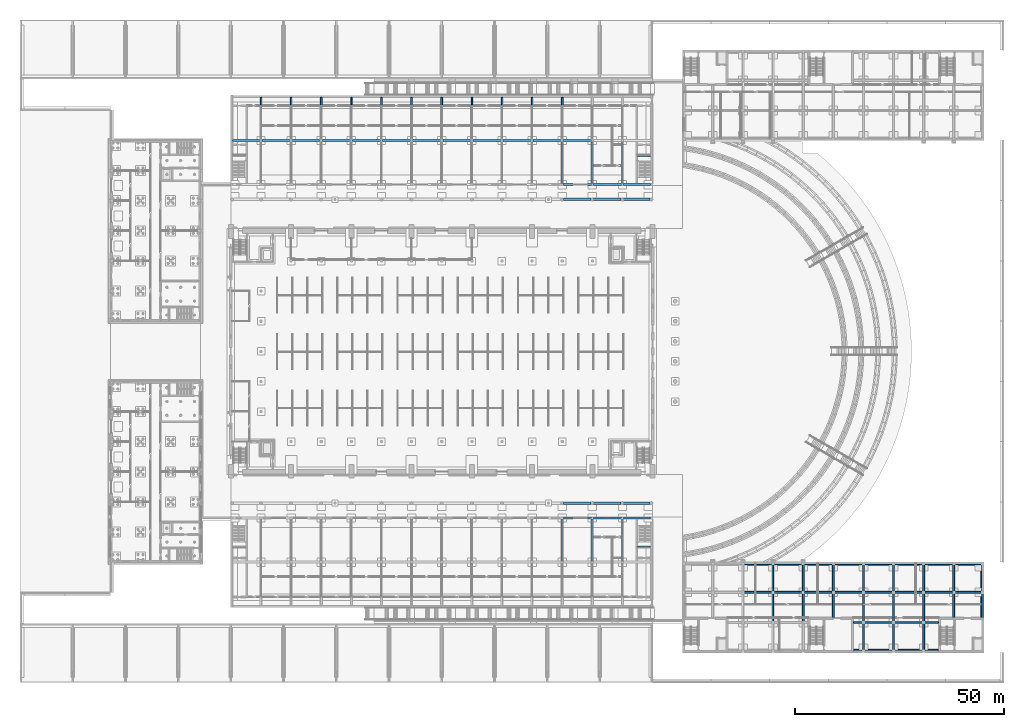
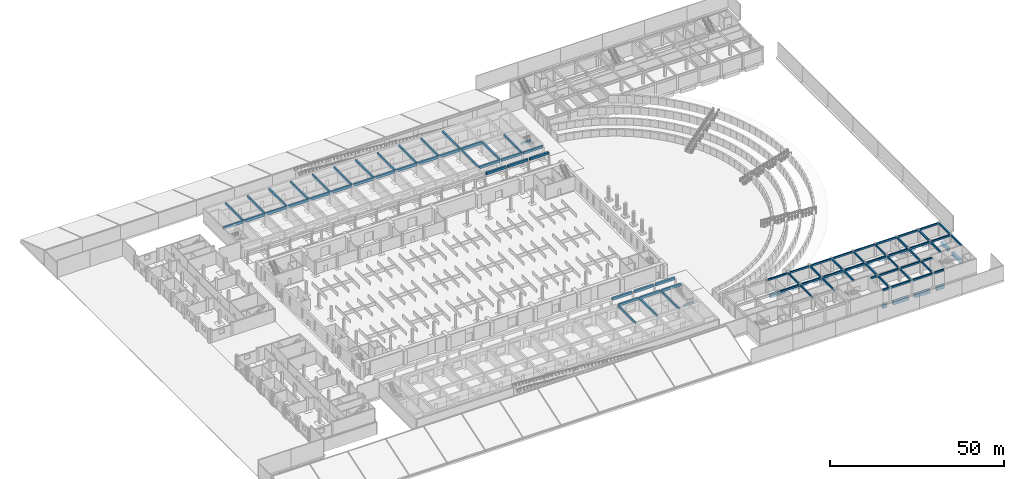
# One storey, part 21 of 73: 100 beams.
"""IFC4 building model written with IfcOpenShell, lengths in metres."""

from ifc_helpers import new_model, si_unit, direction, frame, origin, origin_2d, place, context, subcontext, project, spatial, rectangle, extrude, material, material_profile, profile_set, type_object, element, save


model = new_model("IFC4")

# Units and contexts
model_context = context("Model", 3, precision=1e-05, world=origin(), true_north=direction((0.0, 1.0)))
body_context = subcontext(model_context, "Body", "Model", "MODEL_VIEW")
ifc_project = project(units=[si_unit("LENGTHUNIT", "METRE"), si_unit("AREAUNIT", "SQUARE_METRE"), si_unit("VOLUMEUNIT", "CUBIC_METRE"), si_unit("PLANEANGLEUNIT", "RADIAN"), si_unit("MASSUNIT", "GRAM", prefix="KILO")], contexts=[model_context])

# Site, building, storey
site_placement = place(None, origin())
site = spatial("IfcSite", under=ifc_project, at=site_placement, CompositionType="ELEMENT")
building_placement = place(site_placement, origin())
building = spatial("IfcBuilding", under=site, at=building_placement, Name="Alderwick Market Hall", CompositionType="ELEMENT")
storey_placement = place(building_placement, origin())
storey = spatial("IfcBuildingStorey", under=building, at=storey_placement, Name="LG", CompositionType="ELEMENT", Elevation=0.0)

# Beams
ifc_material = material(Name="Concrete 5000 psi (f'c 35 MPa)", Category="concrete")
ifc_material_profile_1 = material_profile(ifc_material, rectangle(XDim=0.60009765625, YDim=0.800048828125, at=origin_2d()), Name="A RC Arcade Beam 600x800")
ifc_profile_set_1 = profile_set([ifc_material_profile_1], Name="Concrete 5000 psi (f'c 35 MPa)")
beam_type_1 = type_object("IfcBeamType", Name="A RC Arcade Beam 600x800", PredefinedType="BEAM", material=ifc_profile_set_1)
beam_1_placement = place(storey_placement, frame((129.89990234375, 115.5, 4.0), z_axis=(1.0, 0.0, 0.0), x_axis=(0.0, 1.0, 0.0)))
element("IfcBeam", 1, at=beam_1_placement, inside=storey, type_object=beam_type_1, Name="A.N.beam.C11", PredefinedType="BEAM", context=body_context, shape_type="SweptSolid", body=[
    extrude(rectangle(XDim=0.60009765625, YDim=0.800048828125, at=origin_2d()), origin(), (0.0, 0.0, 1.0), 6.60009765625),
])
beam_2_placement = place(storey_placement, frame((137.10009765625, 115.5, 4.0), z_axis=(1.0, 0.0, 0.0), x_axis=(0.0, 1.0, 0.0)))
element("IfcBeam", 2, at=beam_2_placement, inside=storey, type_object=beam_type_1, Name="A.N.beam.C12", PredefinedType="BEAM", context=body_context, shape_type="SweptSolid", body=[
    extrude(rectangle(XDim=0.60009765625, YDim=0.800048828125, at=origin_2d()), origin(), (0.0, 0.0, 1.0), 6.599853515625),
])
beam_3_placement = place(storey_placement, frame((144.300048828125, 115.5, 4.0), z_axis=(1.0, 0.0, 0.0), x_axis=(0.0, 1.0, 0.0)))
element("IfcBeam", 3, at=beam_3_placement, inside=storey, type_object=beam_type_1, Name="A.N.beam.C13", PredefinedType="BEAM", context=body_context, shape_type="SweptSolid", body=[
    extrude(rectangle(XDim=0.60009765625, YDim=0.800048828125, at=origin_2d()), origin(), (0.0, 0.0, 1.0), 6.300048828125),
])
beam_4_placement = place(storey_placement, frame((129.89990234375, 42.89990234375, 4.0), z_axis=(1.0, 0.0, 0.0), x_axis=(0.0, 1.0, 0.0)))
element("IfcBeam", 4, at=beam_4_placement, inside=storey, type_object=beam_type_1, Name="A.S.beam.C11", PredefinedType="BEAM", context=body_context, shape_type="SweptSolid", body=[
    extrude(rectangle(XDim=0.60009765625, YDim=0.800048828125, at=origin_2d()), origin(), (0.0, 0.0, 1.0), 6.60009765625),
])
beam_5_placement = place(storey_placement, frame((137.10009765625, 42.89990234375, 4.0), z_axis=(1.0, 0.0, 0.0), x_axis=(0.0, 1.0, 0.0)))
element("IfcBeam", 5, at=beam_5_placement, inside=storey, type_object=beam_type_1, Name="A.S.beam.C12", PredefinedType="BEAM", context=body_context, shape_type="SweptSolid", body=[
    extrude(rectangle(XDim=0.60009765625, YDim=0.800048828125, at=origin_2d()), origin(), (0.0, 0.0, 1.0), 6.599853515625),
])
beam_6_placement = place(storey_placement, frame((144.300048828125, 42.89990234375, 4.0), z_axis=(1.0, 0.0, 0.0), x_axis=(0.0, 1.0, 0.0)))
element("IfcBeam", 6, at=beam_6_placement, inside=storey, type_object=beam_type_1, Name="A.S.beam.C13", PredefinedType="BEAM", context=body_context, shape_type="SweptSolid", body=[
    extrude(rectangle(XDim=0.60009765625, YDim=0.800048828125, at=origin_2d()), origin(), (0.0, 0.0, 1.0), 6.300048828125),
])
ifc_material_profile_2 = material_profile(ifc_material, rectangle(XDim=0.39990234375, YDim=0.699951171875, at=origin_2d()), Name="A RC Cross Beam 400x700")
ifc_profile_set_2 = profile_set([ifc_material_profile_2], Name="Concrete 5000 psi (f'c 35 MPa)")
beam_type_2 = type_object("IfcBeamType", Name="A RC Cross Beam 400x700", PredefinedType="BEAM", material=ifc_profile_set_2)
for number, where, z_axis, x_axis, name in (
    (7, (57.60009765625, 129.85009765625, 4.050048828125), (0.0, 1.0, 0.0), (-1.0, 0.0, 0.0), "A.N.beam.X001"),
    (8, (64.800048828125, 129.85009765625, 4.050048828125), (0.0, 1.0, 0.0), (-1.0, 0.0, 0.0), "A.N.beam.X011"),
    (9, (72.0, 129.85009765625, 4.050048828125), (0.0, 1.0, 0.0), (-1.0, 0.0, 0.0), "A.N.beam.X021"),
    (10, (79.199951171875, 129.85009765625, 4.050048828125), (0.0, 1.0, 0.0), (-1.0, 0.0, 0.0), "A.N.beam.X031"),
    (11, (86.39990234375, 129.85009765625, 4.050048828125), (0.0, 1.0, 0.0), (-1.0, 0.0, 0.0), "A.N.beam.X041"),
    (12, (93.60009765625, 129.85009765625, 4.050048828125), (0.0, 1.0, 0.0), (-1.0, 0.0, 0.0), "A.N.beam.X051"),
    (13, (100.800048828125, 129.85009765625, 4.050048828125), (0.0, 1.0, 0.0), (-1.0, 0.0, 0.0), "A.N.beam.X061"),
    (14, (108.0, 129.85009765625, 4.050048828125), (0.0, 1.0, 0.0), (-1.0, 0.0, 0.0), "A.N.beam.X071"),
    (15, (115.199951171875, 129.85009765625, 4.050048828125), (0.0, 1.0, 0.0), (-1.0, 0.0, 0.0), "A.N.beam.X081"),
    (16, (122.39990234375, 129.85009765625, 4.050048828125), (0.0, 1.0, 0.0), (-1.0, 0.0, 0.0), "A.N.beam.X091"),
):
    element("IfcBeam", number, at=place(storey_placement, frame(where, z_axis=z_axis, x_axis=x_axis)), inside=storey, type_object=beam_type_2, Name=name, PredefinedType="BEAM", context=body_context, shape_type="SweptSolid", body=[
        extrude(rectangle(XDim=0.39990234375, YDim=0.699951171875, at=origin_2d()), origin(), (0.0, 0.0, 1.0), 10.0498046875),
    ])
beam_7_placement = place(storey_placement, frame((129.60009765625, 119.300048828125, 4.050048828125), z_axis=(0.0, 1.0, 0.0), x_axis=(-1.0, 0.0, 0.0)))
element("IfcBeam", 17, at=beam_7_placement, inside=storey, type_object=beam_type_2, Name="A.N.beam.X100", PredefinedType="BEAM", context=body_context, shape_type="SweptSolid", body=[
    extrude(rectangle(XDim=0.39990234375, YDim=0.699951171875, at=origin_2d()), origin(), (0.0, 0.0, 1.0), 10.050048828125),
])
beam_8_placement = place(storey_placement, frame((129.60009765625, 129.85009765625, 4.050048828125), z_axis=(0.0, 1.0, 0.0), x_axis=(-1.0, 0.0, 0.0)))
element("IfcBeam", 18, at=beam_8_placement, inside=storey, type_object=beam_type_2, Name="A.N.beam.X101", PredefinedType="BEAM", context=body_context, shape_type="SweptSolid", body=[
    extrude(rectangle(XDim=0.39990234375, YDim=0.699951171875, at=origin_2d()), origin(), (0.0, 0.0, 1.0), 10.0498046875),
])
for number, where, z_axis, x_axis, name in (
    (19, (136.800048828125, 119.300048828125, 4.050048828125), (0.0, 1.0, 0.0), (-1.0, 0.0, 0.0), "A.N.beam.X110"),
    (20, (144.0, 119.300048828125, 4.050048828125), (0.0, 1.0, 0.0), (-1.0, 0.0, 0.0), "A.N.beam.X120"),
    (21, (129.60009765625, 39.10009765625, 4.050048828125), (0.0, -1.0, 0.0), (1.0, 0.0, 0.0), "A.S.beam.X100"),
    (22, (136.800048828125, 39.10009765625, 4.050048828125), (0.0, -1.0, 0.0), (1.0, 0.0, 0.0), "A.S.beam.X110"),
    (23, (144.0, 39.10009765625, 4.050048828125), (0.0, -1.0, 0.0), (1.0, 0.0, 0.0), "A.S.beam.X120"),
):
    element("IfcBeam", number, at=place(storey_placement, frame(where, z_axis=z_axis, x_axis=x_axis)), inside=storey, type_object=beam_type_2, Name=name, PredefinedType="BEAM", context=body_context, shape_type="SweptSolid", body=[
        extrude(rectangle(XDim=0.39990234375, YDim=0.699951171875, at=origin_2d()), origin(), (0.0, 0.0, 1.0), 10.050048828125),
    ])
for number, where, z_axis, x_axis, name in (
    (24, (150.800048828125, 126.02001953125, 1.85009765625), (-1.0, 0.0, 0.0), (0.0, -1.0, 0.0), "A.N.beam.landing.E"),
    (25, (150.800048828125, 32.3798828125, 1.85009765625), (-1.0, 0.0, 0.0), (0.0, -1.0, 0.0), "A.S.beam.landing.E"),
):
    element("IfcBeam", number, at=place(storey_placement, frame(where, z_axis=z_axis, x_axis=x_axis)), inside=storey, type_object=beam_type_2, Name=name, PredefinedType="BEAM", context=body_context, shape_type="SweptSolid", body=[
        extrude(rectangle(XDim=0.39990234375, YDim=0.699951171875, at=origin_2d()), origin(), (0.0, 0.0, 1.0), 3.25),
    ])
ifc_material_profile_3 = material_profile(ifc_material, rectangle(XDim=0.5, YDim=0.800048828125, at=origin_2d()), Name="A RC Edge Beam 500x800")
ifc_profile_set_3 = profile_set([ifc_material_profile_3], Name="Concrete 5000 psi (f'c 35 MPa)")
beam_type_3 = type_object("IfcBeamType", Name="A RC Edge Beam 500x800", PredefinedType="BEAM", material=ifc_profile_set_3)
for number, where, z_axis, x_axis, name in (
    (26, (129.85009765625, 119.050048828125, 4.0), (1.0, 0.0, 0.0), (0.0, 1.0, 0.0), "A.N.beam.F11"),
    (27, (137.050048828125, 119.050048828125, 4.0), (1.0, 0.0, 0.0), (0.0, 1.0, 0.0), "A.N.beam.F12"),
):
    element("IfcBeam", number, at=place(storey_placement, frame(where, z_axis=z_axis, x_axis=x_axis)), inside=storey, type_object=beam_type_3, Name=name, PredefinedType="BEAM", context=body_context, shape_type="SweptSolid", body=[
        extrude(rectangle(XDim=0.5, YDim=0.800048828125, at=origin_2d()), origin(), (0.0, 0.0, 1.0), 6.699951171875),
    ])
beam_9_placement = place(storey_placement, frame((144.25, 119.050048828125, 4.0), z_axis=(1.0, 0.0, 0.0), x_axis=(0.0, 1.0, 0.0)))
element("IfcBeam", 28, at=beam_9_placement, inside=storey, type_object=beam_type_3, Name="A.N.beam.F13", PredefinedType="BEAM", context=body_context, shape_type="SweptSolid", body=[
    extrude(rectangle(XDim=0.5, YDim=0.800048828125, at=origin_2d()), origin(), (0.0, 0.0, 1.0), 6.449951171875),
])
for number, where, z_axis, x_axis, name in (
    (29, (129.85009765625, 39.35009765625, 4.0), (1.0, 0.0, 0.0), (0.0, 1.0, 0.0), "A.S.beam.F11"),
    (30, (137.050048828125, 39.35009765625, 4.0), (1.0, 0.0, 0.0), (0.0, 1.0, 0.0), "A.S.beam.F12"),
):
    element("IfcBeam", number, at=place(storey_placement, frame(where, z_axis=z_axis, x_axis=x_axis)), inside=storey, type_object=beam_type_3, Name=name, PredefinedType="BEAM", context=body_context, shape_type="SweptSolid", body=[
        extrude(rectangle(XDim=0.5, YDim=0.800048828125, at=origin_2d()), origin(), (0.0, 0.0, 1.0), 6.699951171875),
    ])
beam_10_placement = place(storey_placement, frame((144.25, 39.35009765625, 4.0), z_axis=(1.0, 0.0, 0.0), x_axis=(0.0, 1.0, 0.0)))
element("IfcBeam", 31, at=beam_10_placement, inside=storey, type_object=beam_type_3, Name="A.S.beam.F13", PredefinedType="BEAM", context=body_context, shape_type="SweptSolid", body=[
    extrude(rectangle(XDim=0.5, YDim=0.800048828125, at=origin_2d()), origin(), (0.0, 0.0, 1.0), 6.449951171875),
])
ifc_material_profile_4 = material_profile(ifc_material, rectangle(XDim=0.5, YDim=0.89990234375, at=origin_2d()), Name="A RC Ridge Beam 500x900")
ifc_profile_set_4 = profile_set([ifc_material_profile_4], Name="Concrete 5000 psi (f'c 35 MPa)")
beam_type_4 = type_object("IfcBeamType", Name="A RC Ridge Beam 500x900", PredefinedType="BEAM", material=ifc_profile_set_4)
beam_11_placement = place(storey_placement, frame((50.800048828125, 129.60009765625, 3.949951171875), z_axis=(1.0, 0.0, 0.0), x_axis=(0.0, 1.0, 0.0)))
element("IfcBeam", 32, at=beam_11_placement, inside=storey, type_object=beam_type_4, Name="A.N.beam.R00", PredefinedType="BEAM", context=body_context, shape_type="SweptSolid", body=[
    extrude(rectangle(XDim=0.5, YDim=0.89990234375, at=origin_2d()), origin(), (0.0, 0.0, 1.0), 6.550048828125),
])
for number, where, z_axis, x_axis, name in (
    (33, (57.85009765625, 129.60009765625, 3.949951171875), (1.0, 0.0, 0.0), (0.0, 1.0, 0.0), "A.N.beam.R01"),
    (34, (65.050048828125, 129.60009765625, 3.949951171875), (1.0, 0.0, 0.0), (0.0, 1.0, 0.0), "A.N.beam.R02"),
    (35, (72.25, 129.60009765625, 3.949951171875), (1.0, 0.0, 0.0), (0.0, 1.0, 0.0), "A.N.beam.R03"),
    (36, (79.449951171875, 129.60009765625, 3.949951171875), (1.0, 0.0, 0.0), (0.0, 1.0, 0.0), "A.N.beam.R04"),
):
    element("IfcBeam", number, at=place(storey_placement, frame(where, z_axis=z_axis, x_axis=x_axis)), inside=storey, type_object=beam_type_4, Name=name, PredefinedType="BEAM", context=body_context, shape_type="SweptSolid", body=[
        extrude(rectangle(XDim=0.5, YDim=0.89990234375, at=origin_2d()), origin(), (0.0, 0.0, 1.0), 6.699951171875),
    ])
beam_12_placement = place(storey_placement, frame((86.64990234375, 129.60009765625, 3.949951171875), z_axis=(1.0, 0.0, 0.0), x_axis=(0.0, 1.0, 0.0)))
element("IfcBeam", 37, at=beam_12_placement, inside=storey, type_object=beam_type_4, Name="A.N.beam.R05", PredefinedType="BEAM", context=body_context, shape_type="SweptSolid", body=[
    extrude(rectangle(XDim=0.5, YDim=0.89990234375, at=origin_2d()), origin(), (0.0, 0.0, 1.0), 6.7001953125),
])
for number, where, z_axis, x_axis, name in (
    (38, (93.85009765625, 129.60009765625, 3.949951171875), (1.0, 0.0, 0.0), (0.0, 1.0, 0.0), "A.N.beam.R06"),
    (39, (101.050048828125, 129.60009765625, 3.949951171875), (1.0, 0.0, 0.0), (0.0, 1.0, 0.0), "A.N.beam.R07"),
    (40, (108.25, 129.60009765625, 3.949951171875), (1.0, 0.0, 0.0), (0.0, 1.0, 0.0), "A.N.beam.R08"),
    (41, (115.449951171875, 129.60009765625, 3.949951171875), (1.0, 0.0, 0.0), (0.0, 1.0, 0.0), "A.N.beam.R09"),
):
    element("IfcBeam", number, at=place(storey_placement, frame(where, z_axis=z_axis, x_axis=x_axis)), inside=storey, type_object=beam_type_4, Name=name, PredefinedType="BEAM", context=body_context, shape_type="SweptSolid", body=[
        extrude(rectangle(XDim=0.5, YDim=0.89990234375, at=origin_2d()), origin(), (0.0, 0.0, 1.0), 6.699951171875),
    ])
beam_13_placement = place(storey_placement, frame((122.64990234375, 129.60009765625, 3.949951171875), z_axis=(1.0, 0.0, 0.0), x_axis=(0.0, 1.0, 0.0)))
element("IfcBeam", 42, at=beam_13_placement, inside=storey, type_object=beam_type_4, Name="A.N.beam.R10", PredefinedType="BEAM", context=body_context, shape_type="SweptSolid", body=[
    extrude(rectangle(XDim=0.5, YDim=0.89990234375, at=origin_2d()), origin(), (0.0, 0.0, 1.0), 6.7001953125),
])
beam_14_placement = place(storey_placement, frame((129.85009765625, 129.60009765625, 3.949951171875), z_axis=(1.0, 0.0, 0.0), x_axis=(0.0, 1.0, 0.0)))
element("IfcBeam", 43, at=beam_14_placement, inside=storey, type_object=beam_type_4, Name="A.N.beam.R11", PredefinedType="BEAM", context=body_context, shape_type="SweptSolid", body=[
    extrude(rectangle(XDim=0.5, YDim=0.89990234375, at=origin_2d()), origin(), (0.0, 0.0, 1.0), 6.699951171875),
])
ifc_material_profile_5 = material_profile(ifc_material, rectangle(XDim=0.39990234375, YDim=0.60009765625, at=origin_2d()), Name="RC 400x600")
ifc_profile_set_5 = profile_set([ifc_material_profile_5], Name="Concrete 5000 psi (f'c 35 MPa)")
beam_type_5 = type_object("IfcBeamType", Name="C Floor Beam RC 400x600", PredefinedType="BEAM", material=ifc_profile_set_5)
for number, where, z_axis, x_axis, name in (
    (44, (172.800048828125, 28.449951171875, 4.25), (1.0, 0.0, 0.0), (0.0, 1.0, 0.0), "C.beam.LG.003"),
    (45, (180.0, 28.449951171875, 4.25), (1.0, 0.0, 0.0), (0.0, 1.0, 0.0), "C.beam.LG.004"),
    (46, (187.199951171875, 28.449951171875, 4.25), (1.0, 0.0, 0.0), (0.0, 1.0, 0.0), "C.beam.LG.005"),
):
    element("IfcBeam", number, at=place(storey_placement, frame(where, z_axis=z_axis, x_axis=x_axis)), inside=storey, type_object=beam_type_5, Name=name, PredefinedType="BEAM", context=body_context, shape_type="SweptSolid", body=[
        extrude(rectangle(XDim=0.39990234375, YDim=0.60009765625, at=origin_2d()), origin(), (0.0, 0.0, 1.0), 7.199951171875),
    ])
beam_15_placement = place(storey_placement, frame((194.39990234375, 28.449951171875, 4.25), z_axis=(1.0, 0.0, 0.0), x_axis=(0.0, 1.0, 0.0)))
element("IfcBeam", 47, at=beam_15_placement, inside=storey, type_object=beam_type_5, Name="C.beam.LG.006", PredefinedType="BEAM", context=body_context, shape_type="SweptSolid", body=[
    extrude(rectangle(XDim=0.39990234375, YDim=0.60009765625, at=origin_2d()), origin(), (0.0, 0.0, 1.0), 7.2001953125),
])
for number, where, z_axis, x_axis, name in (
    (48, (201.60009765625, 28.449951171875, 4.25), (1.0, 0.0, 0.0), (0.0, 1.0, 0.0), "C.beam.LG.007"),
    (49, (208.800048828125, 28.449951171875, 4.25), (1.0, 0.0, 0.0), (0.0, 1.0, 0.0), "C.beam.LG.008"),
    (50, (216.0, 28.449951171875, 4.25), (1.0, 0.0, 0.0), (0.0, 1.0, 0.0), "C.beam.LG.009"),
):
    element("IfcBeam", number, at=place(storey_placement, frame(where, z_axis=z_axis, x_axis=x_axis)), inside=storey, type_object=beam_type_5, Name=name, PredefinedType="BEAM", context=body_context, shape_type="SweptSolid", body=[
        extrude(rectangle(XDim=0.39990234375, YDim=0.60009765625, at=origin_2d()), origin(), (0.0, 0.0, 1.0), 7.199951171875),
    ])
beam_16_placement = place(storey_placement, frame((223.199951171875, 28.449951171875, 4.25), z_axis=(1.0, 0.0, 0.0), x_axis=(0.0, 1.0, 0.0)))
element("IfcBeam", 51, at=beam_16_placement, inside=storey, type_object=beam_type_5, Name="C.beam.LG.010", PredefinedType="BEAM", context=body_context, shape_type="SweptSolid", body=[
    extrude(rectangle(XDim=0.39990234375, YDim=0.60009765625, at=origin_2d()), origin(), (0.0, 0.0, 1.0), 6.85009765625),
])
for number, where, z_axis, x_axis, name in (
    (52, (172.800048828125, 21.60009765625, 4.25), (1.0, 0.0, 0.0), (0.0, 1.0, 0.0), "C.beam.LG.013"),
    (53, (180.0, 21.60009765625, 4.25), (1.0, 0.0, 0.0), (0.0, 1.0, 0.0), "C.beam.LG.014"),
    (54, (187.199951171875, 21.60009765625, 4.25), (1.0, 0.0, 0.0), (0.0, 1.0, 0.0), "C.beam.LG.015"),
):
    element("IfcBeam", number, at=place(storey_placement, frame(where, z_axis=z_axis, x_axis=x_axis)), inside=storey, type_object=beam_type_5, Name=name, PredefinedType="BEAM", context=body_context, shape_type="SweptSolid", body=[
        extrude(rectangle(XDim=0.39990234375, YDim=0.60009765625, at=origin_2d()), origin(), (0.0, 0.0, 1.0), 7.199951171875),
    ])
beam_17_placement = place(storey_placement, frame((194.39990234375, 21.60009765625, 4.25), z_axis=(1.0, 0.0, 0.0), x_axis=(0.0, 1.0, 0.0)))
element("IfcBeam", 55, at=beam_17_placement, inside=storey, type_object=beam_type_5, Name="C.beam.LG.016", PredefinedType="BEAM", context=body_context, shape_type="SweptSolid", body=[
    extrude(rectangle(XDim=0.39990234375, YDim=0.60009765625, at=origin_2d()), origin(), (0.0, 0.0, 1.0), 7.2001953125),
])
for number, where, z_axis, x_axis, name in (
    (56, (201.60009765625, 21.60009765625, 4.25), (1.0, 0.0, 0.0), (0.0, 1.0, 0.0), "C.beam.LG.017"),
    (57, (208.800048828125, 21.60009765625, 4.25), (1.0, 0.0, 0.0), (0.0, 1.0, 0.0), "C.beam.LG.018"),
    (58, (216.0, 21.60009765625, 4.25), (1.0, 0.0, 0.0), (0.0, 1.0, 0.0), "C.beam.LG.019"),
):
    element("IfcBeam", number, at=place(storey_placement, frame(where, z_axis=z_axis, x_axis=x_axis)), inside=storey, type_object=beam_type_5, Name=name, PredefinedType="BEAM", context=body_context, shape_type="SweptSolid", body=[
        extrude(rectangle(XDim=0.39990234375, YDim=0.60009765625, at=origin_2d()), origin(), (0.0, 0.0, 1.0), 7.199951171875),
    ])
beam_18_placement = place(storey_placement, frame((223.199951171875, 21.60009765625, 4.25), z_axis=(1.0, 0.0, 0.0), x_axis=(0.0, 1.0, 0.0)))
element("IfcBeam", 59, at=beam_18_placement, inside=storey, type_object=beam_type_5, Name="C.beam.LG.020", PredefinedType="BEAM", context=body_context, shape_type="SweptSolid", body=[
    extrude(rectangle(XDim=0.39990234375, YDim=0.60009765625, at=origin_2d()), origin(), (0.0, 0.0, 1.0), 6.85009765625),
])
beam_19_placement = place(storey_placement, frame((199.198974609375, 14.39990234375, 4.25), z_axis=(1.0, 0.0, 0.0), x_axis=(0.0, 1.0, 0.0)))
element("IfcBeam", 60, at=beam_19_placement, inside=storey, type_object=beam_type_5, Name="C.beam.LG.025", PredefinedType="BEAM", context=body_context, shape_type="SweptSolid", body=[
    extrude(rectangle(XDim=0.39990234375, YDim=0.60009765625, at=origin_2d()), origin(), (0.0, 0.0, 1.0), 2.401123046875),
])
for number, where, z_axis, x_axis, name in (
    (61, (201.60009765625, 14.39990234375, 4.25), (1.0, 0.0, 0.0), (0.0, 1.0, 0.0), "C.beam.LG.026"),
    (62, (208.800048828125, 14.39990234375, 4.25), (1.0, 0.0, 0.0), (0.0, 1.0, 0.0), "C.beam.LG.027"),
):
    element("IfcBeam", number, at=place(storey_placement, frame(where, z_axis=z_axis, x_axis=x_axis)), inside=storey, type_object=beam_type_5, Name=name, PredefinedType="BEAM", context=body_context, shape_type="SweptSolid", body=[
        extrude(rectangle(XDim=0.39990234375, YDim=0.60009765625, at=origin_2d()), origin(), (0.0, 0.0, 1.0), 7.199951171875),
    ])
beam_20_placement = place(storey_placement, frame((216.0, 14.39990234375, 4.25), z_axis=(1.0, 0.0, 0.0), x_axis=(0.0, 1.0, 0.0)))
element("IfcBeam", 63, at=beam_20_placement, inside=storey, type_object=beam_type_5, Name="C.beam.LG.028", PredefinedType="BEAM", context=body_context, shape_type="SweptSolid", body=[
    extrude(rectangle(XDim=0.39990234375, YDim=0.60009765625, at=origin_2d()), origin(), (0.0, 0.0, 1.0), 3.60107421875),
])
beam_21_placement = place(storey_placement, frame((199.198974609375, 7.550048828125, 4.25), z_axis=(1.0, 0.0, 0.0), x_axis=(0.0, 1.0, 0.0)))
element("IfcBeam", 64, at=beam_21_placement, inside=storey, type_object=beam_type_5, Name="C.beam.LG.033", PredefinedType="BEAM", context=body_context, shape_type="SweptSolid", body=[
    extrude(rectangle(XDim=0.39990234375, YDim=0.60009765625, at=origin_2d()), origin(), (0.0, 0.0, 1.0), 2.401123046875),
])
for number, where, z_axis, x_axis, name in (
    (65, (201.60009765625, 7.550048828125, 4.25), (1.0, 0.0, 0.0), (0.0, 1.0, 0.0), "C.beam.LG.034"),
    (66, (208.800048828125, 7.550048828125, 4.25), (1.0, 0.0, 0.0), (0.0, 1.0, 0.0), "C.beam.LG.035"),
):
    element("IfcBeam", number, at=place(storey_placement, frame(where, z_axis=z_axis, x_axis=x_axis)), inside=storey, type_object=beam_type_5, Name=name, PredefinedType="BEAM", context=body_context, shape_type="SweptSolid", body=[
        extrude(rectangle(XDim=0.39990234375, YDim=0.60009765625, at=origin_2d()), origin(), (0.0, 0.0, 1.0), 7.199951171875),
    ])
beam_22_placement = place(storey_placement, frame((216.0, 7.550048828125, 4.25), z_axis=(1.0, 0.0, 0.0), x_axis=(0.0, 1.0, 0.0)))
element("IfcBeam", 67, at=beam_22_placement, inside=storey, type_object=beam_type_5, Name="C.beam.LG.036", PredefinedType="BEAM", context=body_context, shape_type="SweptSolid", body=[
    extrude(rectangle(XDim=0.39990234375, YDim=0.60009765625, at=origin_2d()), origin(), (0.0, 0.0, 1.0), 3.60107421875),
])
beam_23_placement = place(storey_placement, frame((180.0, 28.449951171875, 4.25), z_axis=(0.0, -1.0, 0.0), x_axis=(1.0, 0.0, 0.0)))
element("IfcBeam", 68, at=beam_23_placement, inside=storey, type_object=beam_type_5, Name="C.beam.LG.044", PredefinedType="BEAM", context=body_context, shape_type="SweptSolid", body=[
    extrude(rectangle(XDim=0.39990234375, YDim=0.60009765625, at=origin_2d()), origin(), (0.0, 0.0, 1.0), 6.849853515625),
])
beam_24_placement = place(storey_placement, frame((180.0, 21.60009765625, 4.25), z_axis=(0.0, -1.0, 0.0), x_axis=(1.0, 0.0, 0.0)))
element("IfcBeam", 69, at=beam_24_placement, inside=storey, type_object=beam_type_5, Name="C.beam.LG.045", PredefinedType="BEAM", context=body_context, shape_type="SweptSolid", body=[
    extrude(rectangle(XDim=0.39990234375, YDim=0.60009765625, at=origin_2d()), origin(), (0.0, 0.0, 1.0), 7.2001953125),
])
beam_25_placement = place(storey_placement, frame((187.199951171875, 28.449951171875, 4.25), z_axis=(0.0, -1.0, 0.0), x_axis=(1.0, 0.0, 0.0)))
element("IfcBeam", 70, at=beam_25_placement, inside=storey, type_object=beam_type_5, Name="C.beam.LG.047", PredefinedType="BEAM", context=body_context, shape_type="SweptSolid", body=[
    extrude(rectangle(XDim=0.39990234375, YDim=0.60009765625, at=origin_2d()), origin(), (0.0, 0.0, 1.0), 6.849853515625),
])
beam_26_placement = place(storey_placement, frame((187.199951171875, 21.60009765625, 4.25), z_axis=(0.0, -1.0, 0.0), x_axis=(1.0, 0.0, 0.0)))
element("IfcBeam", 71, at=beam_26_placement, inside=storey, type_object=beam_type_5, Name="C.beam.LG.048", PredefinedType="BEAM", context=body_context, shape_type="SweptSolid", body=[
    extrude(rectangle(XDim=0.39990234375, YDim=0.60009765625, at=origin_2d()), origin(), (0.0, 0.0, 1.0), 7.2001953125),
])
beam_27_placement = place(storey_placement, frame((194.39990234375, 28.449951171875, 4.25), z_axis=(0.0, -1.0, 0.0), x_axis=(1.0, 0.0, 0.0)))
element("IfcBeam", 72, at=beam_27_placement, inside=storey, type_object=beam_type_5, Name="C.beam.LG.050", PredefinedType="BEAM", context=body_context, shape_type="SweptSolid", body=[
    extrude(rectangle(XDim=0.39990234375, YDim=0.60009765625, at=origin_2d()), origin(), (0.0, 0.0, 1.0), 6.849853515625),
])
beam_28_placement = place(storey_placement, frame((194.39990234375, 21.60009765625, 4.25), z_axis=(0.0, -1.0, 0.0), x_axis=(1.0, 0.0, 0.0)))
element("IfcBeam", 73, at=beam_28_placement, inside=storey, type_object=beam_type_5, Name="C.beam.LG.051", PredefinedType="BEAM", context=body_context, shape_type="SweptSolid", body=[
    extrude(rectangle(XDim=0.39990234375, YDim=0.60009765625, at=origin_2d()), origin(), (0.0, 0.0, 1.0), 6.0009765625),
])
beam_29_placement = place(storey_placement, frame((201.60009765625, 28.449951171875, 4.25), z_axis=(0.0, -1.0, 0.0), x_axis=(1.0, 0.0, 0.0)))
element("IfcBeam", 74, at=beam_29_placement, inside=storey, type_object=beam_type_5, Name="C.beam.LG.052", PredefinedType="BEAM", context=body_context, shape_type="SweptSolid", body=[
    extrude(rectangle(XDim=0.39990234375, YDim=0.60009765625, at=origin_2d()), origin(), (0.0, 0.0, 1.0), 6.849853515625),
])
beam_30_placement = place(storey_placement, frame((201.60009765625, 21.60009765625, 4.25), z_axis=(0.0, -1.0, 0.0), x_axis=(1.0, 0.0, 0.0)))
element("IfcBeam", 75, at=beam_30_placement, inside=storey, type_object=beam_type_5, Name="C.beam.LG.053", PredefinedType="BEAM", context=body_context, shape_type="SweptSolid", body=[
    extrude(rectangle(XDim=0.39990234375, YDim=0.60009765625, at=origin_2d()), origin(), (0.0, 0.0, 1.0), 7.2001953125),
])
for number, where, z_axis, x_axis, name in (
    (76, (201.60009765625, 14.39990234375, 4.25), (0.0, -1.0, 0.0), (1.0, 0.0, 0.0), "C.beam.LG.054"),
    (77, (208.800048828125, 28.449951171875, 4.25), (0.0, -1.0, 0.0), (1.0, 0.0, 0.0), "C.beam.LG.055"),
):
    element("IfcBeam", number, at=place(storey_placement, frame(where, z_axis=z_axis, x_axis=x_axis)), inside=storey, type_object=beam_type_5, Name=name, PredefinedType="BEAM", context=body_context, shape_type="SweptSolid", body=[
        extrude(rectangle(XDim=0.39990234375, YDim=0.60009765625, at=origin_2d()), origin(), (0.0, 0.0, 1.0), 6.849853515625),
    ])
beam_31_placement = place(storey_placement, frame((208.800048828125, 21.60009765625, 4.25), z_axis=(0.0, -1.0, 0.0), x_axis=(1.0, 0.0, 0.0)))
element("IfcBeam", 78, at=beam_31_placement, inside=storey, type_object=beam_type_5, Name="C.beam.LG.056", PredefinedType="BEAM", context=body_context, shape_type="SweptSolid", body=[
    extrude(rectangle(XDim=0.39990234375, YDim=0.60009765625, at=origin_2d()), origin(), (0.0, 0.0, 1.0), 7.2001953125),
])
for number, where, z_axis, x_axis, name in (
    (79, (208.800048828125, 14.39990234375, 4.25), (0.0, -1.0, 0.0), (1.0, 0.0, 0.0), "C.beam.LG.057"),
    (80, (216.0, 28.449951171875, 4.25), (0.0, -1.0, 0.0), (1.0, 0.0, 0.0), "C.beam.LG.058"),
):
    element("IfcBeam", number, at=place(storey_placement, frame(where, z_axis=z_axis, x_axis=x_axis)), inside=storey, type_object=beam_type_5, Name=name, PredefinedType="BEAM", context=body_context, shape_type="SweptSolid", body=[
        extrude(rectangle(XDim=0.39990234375, YDim=0.60009765625, at=origin_2d()), origin(), (0.0, 0.0, 1.0), 6.849853515625),
    ])
beam_32_placement = place(storey_placement, frame((216.0, 21.60009765625, 4.25), z_axis=(0.0, -1.0, 0.0), x_axis=(1.0, 0.0, 0.0)))
element("IfcBeam", 81, at=beam_32_placement, inside=storey, type_object=beam_type_5, Name="C.beam.LG.059", PredefinedType="BEAM", context=body_context, shape_type="SweptSolid", body=[
    extrude(rectangle(XDim=0.39990234375, YDim=0.60009765625, at=origin_2d()), origin(), (0.0, 0.0, 1.0), 7.2001953125),
])
for number, where, z_axis, x_axis, name in (
    (82, (216.0, 14.39990234375, 4.25), (0.0, -1.0, 0.0), (1.0, 0.0, 0.0), "C.beam.LG.060"),
    (83, (223.199951171875, 28.449951171875, 4.25), (0.0, -1.0, 0.0), (1.0, 0.0, 0.0), "C.beam.LG.061"),
):
    element("IfcBeam", number, at=place(storey_placement, frame(where, z_axis=z_axis, x_axis=x_axis)), inside=storey, type_object=beam_type_5, Name=name, PredefinedType="BEAM", context=body_context, shape_type="SweptSolid", body=[
        extrude(rectangle(XDim=0.39990234375, YDim=0.60009765625, at=origin_2d()), origin(), (0.0, 0.0, 1.0), 6.849853515625),
    ])
beam_33_placement = place(storey_placement, frame((223.199951171875, 21.60009765625, 4.25), z_axis=(0.0, -1.0, 0.0), x_axis=(1.0, 0.0, 0.0)))
element("IfcBeam", 84, at=beam_33_placement, inside=storey, type_object=beam_type_5, Name="C.beam.LG.062", PredefinedType="BEAM", context=body_context, shape_type="SweptSolid", body=[
    extrude(rectangle(XDim=0.39990234375, YDim=0.60009765625, at=origin_2d()), origin(), (0.0, 0.0, 1.0), 6.0009765625),
])
beam_34_placement = place(storey_placement, frame((230.050048828125, 28.449951171875, 4.25), z_axis=(0.0, -1.0, 0.0), x_axis=(1.0, 0.0, 0.0)))
element("IfcBeam", 85, at=beam_34_placement, inside=storey, type_object=beam_type_5, Name="C.beam.LG.063", PredefinedType="BEAM", context=body_context, shape_type="SweptSolid", body=[
    extrude(rectangle(XDim=0.39990234375, YDim=0.60009765625, at=origin_2d()), origin(), (0.0, 0.0, 1.0), 6.849853515625),
])
beam_35_placement = place(storey_placement, frame((230.050048828125, 21.60009765625, 4.25), z_axis=(0.0, -1.0, 0.0), x_axis=(1.0, 0.0, 0.0)))
element("IfcBeam", 86, at=beam_35_placement, inside=storey, type_object=beam_type_5, Name="C.beam.LG.064", PredefinedType="BEAM", context=body_context, shape_type="SweptSolid", body=[
    extrude(rectangle(XDim=0.39990234375, YDim=0.60009765625, at=origin_2d()), origin(), (0.0, 0.0, 1.0), 6.0009765625),
])
ifc_material_profile_6 = material_profile(ifc_material, rectangle(XDim=0.800048828125, YDim=1.199951171875, at=origin_2d()), Name="RC 800x1200")
ifc_profile_set_6 = profile_set([ifc_material_profile_6], Name="Concrete 5000 psi (f'c 35 MPa)")
beam_type_6 = type_object("IfcBeamType", Name="C Grade Beam RC 800x1200", PredefinedType="BEAM", material=ifc_profile_set_6)
for number, where, z_axis, x_axis, name in (
    (87, (173.85107421875, 28.39990234375, -1.5), (1.0, 0.0, 0.0), (0.0, 1.0, 0.0), "C.gbeam.LG.03"),
    (88, (181.051025390625, 28.39990234375, -1.5), (1.0, 0.0, 0.0), (0.0, 1.0, 0.0), "C.gbeam.LG.04"),
):
    element("IfcBeam", number, at=place(storey_placement, frame(where, z_axis=z_axis, x_axis=x_axis)), inside=storey, type_object=beam_type_6, Name=name, PredefinedType="BEAM", context=body_context, shape_type="SweptSolid", body=[
        extrude(rectangle(XDim=0.800048828125, YDim=1.199951171875, at=origin_2d()), origin(), (0.0, 0.0, 1.0), 5.097900390625),
    ])
for number, where, z_axis, x_axis, name in (
    (89, (188.2509765625, 28.39990234375, -1.5), (1.0, 0.0, 0.0), (0.0, 1.0, 0.0), "C.gbeam.LG.05"),
    (90, (195.450927734375, 28.39990234375, -1.5), (1.0, 0.0, 0.0), (0.0, 1.0, 0.0), "C.gbeam.LG.06"),
    (91, (202.65087890625, 28.39990234375, -1.5), (1.0, 0.0, 0.0), (0.0, 1.0, 0.0), "C.gbeam.LG.07"),
):
    element("IfcBeam", number, at=place(storey_placement, frame(where, z_axis=z_axis, x_axis=x_axis)), inside=storey, type_object=beam_type_6, Name=name, PredefinedType="BEAM", context=body_context, shape_type="SweptSolid", body=[
        extrude(rectangle(XDim=0.800048828125, YDim=1.199951171875, at=origin_2d()), origin(), (0.0, 0.0, 1.0), 5.09814453125),
    ])
for number, where, z_axis, x_axis, name in (
    (92, (209.85107421875, 28.39990234375, -1.5), (1.0, 0.0, 0.0), (0.0, 1.0, 0.0), "C.gbeam.LG.08"),
    (93, (217.051025390625, 28.39990234375, -1.5), (1.0, 0.0, 0.0), (0.0, 1.0, 0.0), "C.gbeam.LG.09"),
):
    element("IfcBeam", number, at=place(storey_placement, frame(where, z_axis=z_axis, x_axis=x_axis)), inside=storey, type_object=beam_type_6, Name=name, PredefinedType="BEAM", context=body_context, shape_type="SweptSolid", body=[
        extrude(rectangle(XDim=0.800048828125, YDim=1.199951171875, at=origin_2d()), origin(), (0.0, 0.0, 1.0), 5.097900390625),
    ])
beam_36_placement = place(storey_placement, frame((224.2509765625, 28.39990234375, -1.5), z_axis=(1.0, 0.0, 0.0), x_axis=(0.0, 1.0, 0.0)))
element("IfcBeam", 94, at=beam_36_placement, inside=storey, type_object=beam_type_6, Name="C.gbeam.LG.10", PredefinedType="BEAM", context=body_context, shape_type="SweptSolid", body=[
    extrude(rectangle(XDim=0.800048828125, YDim=1.199951171875, at=origin_2d()), origin(), (0.0, 0.0, 1.0), 4.048095703125),
])
beam_37_placement = place(storey_placement, frame((199.200927734375, 7.60009765625, -1.5), z_axis=(1.0, 0.0, 0.0), x_axis=(0.0, 1.0, 0.0)))
element("IfcBeam", 95, at=beam_37_placement, inside=storey, type_object=beam_type_6, Name="C.gbeam.LG.14", PredefinedType="BEAM", context=body_context, shape_type="SweptSolid", body=[
    extrude(rectangle(XDim=0.800048828125, YDim=1.199951171875, at=origin_2d()), origin(), (0.0, 0.0, 1.0), 1.34814453125),
])
beam_38_placement = place(storey_placement, frame((202.65087890625, 7.60009765625, -1.5), z_axis=(1.0, 0.0, 0.0), x_axis=(0.0, 1.0, 0.0)))
element("IfcBeam", 96, at=beam_38_placement, inside=storey, type_object=beam_type_6, Name="C.gbeam.LG.15", PredefinedType="BEAM", context=body_context, shape_type="SweptSolid", body=[
    extrude(rectangle(XDim=0.800048828125, YDim=1.199951171875, at=origin_2d()), origin(), (0.0, 0.0, 1.0), 5.09814453125),
])
beam_39_placement = place(storey_placement, frame((209.85107421875, 7.60009765625, -1.5), z_axis=(1.0, 0.0, 0.0), x_axis=(0.0, 1.0, 0.0)))
element("IfcBeam", 97, at=beam_39_placement, inside=storey, type_object=beam_type_6, Name="C.gbeam.LG.16", PredefinedType="BEAM", context=body_context, shape_type="SweptSolid", body=[
    extrude(rectangle(XDim=0.800048828125, YDim=1.199951171875, at=origin_2d()), origin(), (0.0, 0.0, 1.0), 5.097900390625),
])
beam_40_placement = place(storey_placement, frame((217.051025390625, 7.60009765625, -1.5), z_axis=(1.0, 0.0, 0.0), x_axis=(0.0, 1.0, 0.0)))
element("IfcBeam", 98, at=beam_40_placement, inside=storey, type_object=beam_type_6, Name="C.gbeam.LG.17", PredefinedType="BEAM", context=body_context, shape_type="SweptSolid", body=[
    extrude(rectangle(XDim=0.800048828125, YDim=1.199951171875, at=origin_2d()), origin(), (0.0, 0.0, 1.0), 2.548095703125),
])
beam_41_placement = place(storey_placement, frame((230.0, 22.65087890625, -1.5), z_axis=(0.0, 1.0, 0.0), x_axis=(-1.0, 0.0, 0.0)))
element("IfcBeam", 99, at=beam_41_placement, inside=storey, type_object=beam_type_6, Name="C.gbeam.LG.20", PredefinedType="BEAM", context=body_context, shape_type="SweptSolid", body=[
    extrude(rectangle(XDim=0.800048828125, YDim=1.199951171875, at=origin_2d()), origin(), (0.0, 0.0, 1.0), 4.048095703125),
])
beam_42_placement = place(storey_placement, frame((230.0, 15.60107421875, -1.5), z_axis=(0.0, 1.0, 0.0), x_axis=(-1.0, 0.0, 0.0)))
element("IfcBeam", 100, at=beam_42_placement, inside=storey, type_object=beam_type_6, Name="C.gbeam.LG.21", PredefinedType="BEAM", context=body_context, shape_type="SweptSolid", body=[
    extrude(rectangle(XDim=0.800048828125, YDim=1.199951171875, at=origin_2d()), origin(), (0.0, 0.0, 1.0), 4.947998046875),
])

save(model, "model.ifc")
